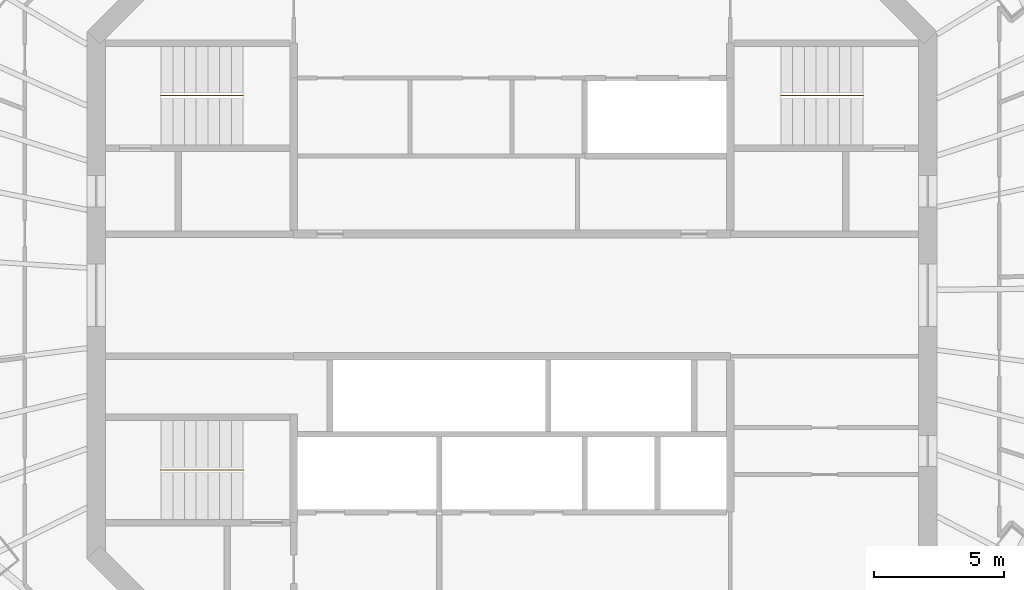
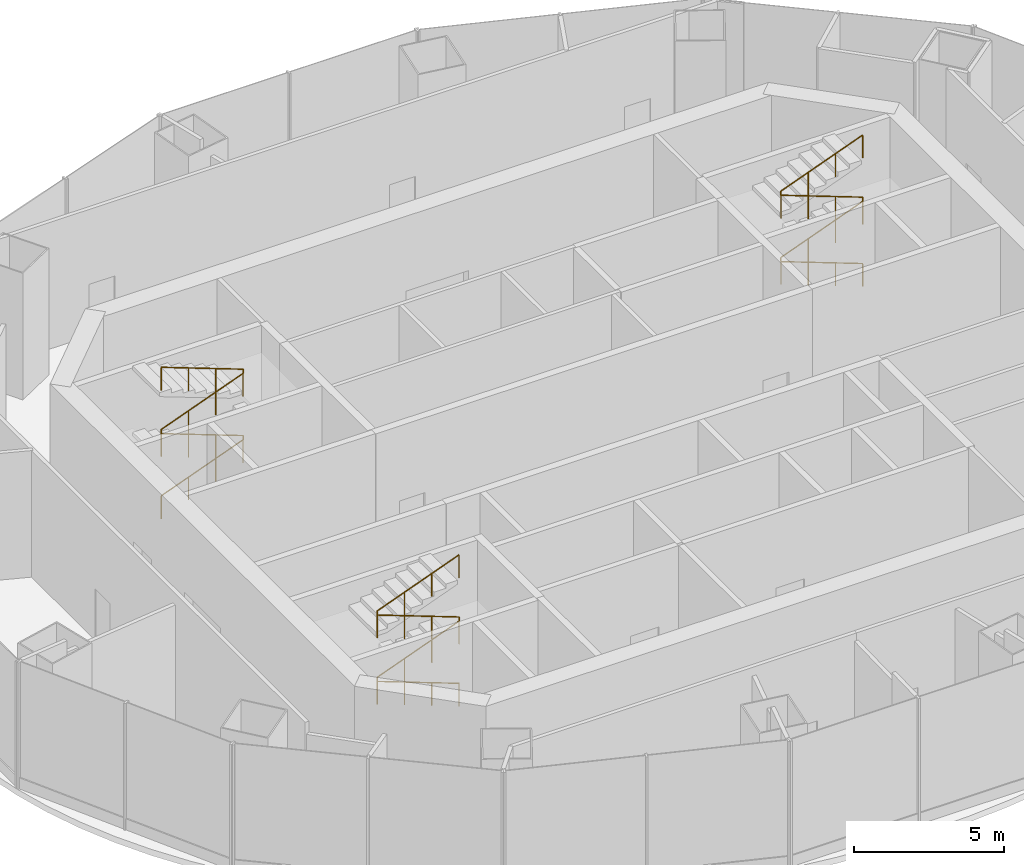
# One storey, part 11 of 11: 3 railings.
"""IFC4 building model written with IfcOpenShell, lengths in metres."""

from ifc_helpers import new_model, si_unit, direction, frame, origin, origin_2d, place, context, subcontext, project, spatial, circle, extrude, material, type_object, element, save


model = new_model("IFC4")

# Units and contexts
model_context = context("Model", 3, precision=1e-05, world=origin(), true_north=direction((0.0, 1.0)))
body_context = subcontext(model_context, "Body", "Model", "MODEL_VIEW")
ifc_project = project(units=[si_unit("LENGTHUNIT", "METRE"), si_unit("AREAUNIT", "SQUARE_METRE"), si_unit("VOLUMEUNIT", "CUBIC_METRE"), si_unit("PLANEANGLEUNIT", "RADIAN"), si_unit("MASSUNIT", "GRAM", prefix="KILO")], contexts=[model_context])

# Site, building, storey
site_placement = place(None, origin())
site = spatial("IfcSite", under=ifc_project, at=site_placement, CompositionType="ELEMENT")
building_placement = place(site_placement, origin())
building = spatial("IfcBuilding", under=site, at=building_placement, Name="Marenthal Gate Tower", CompositionType="ELEMENT")
storey_placement = place(building_placement, frame((0.0, 0.0, 396.550048828125)))
storey = spatial("IfcBuildingStorey", under=building, at=storey_placement, Name="L90", CompositionType="ELEMENT", Elevation=396.550048828125)

# Railings
ifc_material = material(Name="Stainless steel", Category="steel")
railing_type = type_object("IfcRailingType", Name="Stair handrail", PredefinedType="HANDRAIL", material=ifc_material)
railing_1_placement = place(storey_placement, frame((-13.5, 7.675048828125, 0.168701171875)))
element("IfcRailing", 1, at=railing_1_placement, inside=storey, type_object=railing_type, Name="Handrail ST1", PredefinedType="HANDRAIL", context=body_context, shape_type="SweptSolid", body=[
    extrude(circle(Radius=0.0224609375, at=origin_2d()), frame((0.0, 0.0, 0.927490234375), z_axis=(0.936335142327, 0.0, 0.351107535156), x_axis=(0.0, 1.0, 0.0)), (0.0, 0.0, 1.0), 3.364013671875),
    extrude(circle(Radius=0.0224609375, at=origin_2d()), frame((3.14990234375, 0.0, 2.108642578125), z_axis=(0.0, 0.0, 1.0), x_axis=(1.0, 0.0, 0.0)), (0.0, 0.0, 1.0), 0.1689453125),
    extrude(circle(Radius=0.0224609375, at=origin_2d()), frame((3.14990234375, 0.0, 2.277587890625), z_axis=(-0.936335142327, 0.0, 0.351107535156), x_axis=(0.0, -1.0, 0.0)), (0.0, 0.0, 1.0), 3.364013671875),
    extrude(circle(Radius=0.0224609375, at=origin_2d()), frame((0.0, 0.0, 3.458740234375), z_axis=(0.0, 0.0, 1.0), x_axis=(1.0, 0.0, 0.0)), (0.0, 0.0, 1.0), 0.168701171875),
    extrude(circle(Radius=0.0224609375, at=origin_2d()), frame((0.0, 0.0, 3.62744140625), z_axis=(0.936311282129, 0.0, 0.351171159062), x_axis=(0.0, 1.0, 0.0)), (0.0, 0.0, 1.0), 3.3642578125),
    extrude(circle(Radius=0.0224609375, at=origin_2d()), frame((3.14990234375, 0.0, 4.808837890625), z_axis=(0.0, 0.0, 1.0), x_axis=(1.0, 0.0, 0.0)), (0.0, 0.0, 1.0), 0.168701171875),
    extrude(circle(Radius=0.0224609375, at=origin_2d()), frame((3.14990234375, 0.0, 4.9775390625), z_axis=(-0.936335142327, 0.0, 0.351107535156), x_axis=(0.0, -1.0, 0.0)), (0.0, 0.0, 1.0), 3.364013671875),
    extrude(circle(Radius=0.02001953125, at=origin_2d()), origin(), (0.0, 0.0, 1.0), 0.905029296875),
    extrude(circle(Radius=0.02001953125, at=origin_2d()), frame((1.050048828125, 0.0, 0.393798828125)), (0.0, 0.0, 1.0), 0.905029296875),
    extrude(circle(Radius=0.02001953125, at=origin_2d()), frame((2.099853515625, 0.0, 0.787353515625)), (0.0, 0.0, 1.0), 0.905029296875),
    extrude(circle(Radius=0.02001953125, at=origin_2d()), frame((3.14990234375, 0.0, 1.18115234375)), (0.0, 0.0, 1.0), 0.905029296875),
    extrude(circle(Radius=0.02001953125, at=origin_2d()), frame((3.14990234375, 0.0, 1.35009765625)), (0.0, 0.0, 1.0), 0.905029296875),
    extrude(circle(Radius=0.02001953125, at=origin_2d()), frame((2.099853515625, 0.0, 1.743896484375)), (0.0, 0.0, 1.0), 0.905029296875),
    extrude(circle(Radius=0.02001953125, at=origin_2d()), frame((1.050048828125, 0.0, 2.137451171875)), (0.0, 0.0, 1.0), 0.905029296875),
    extrude(circle(Radius=0.02001953125, at=origin_2d()), frame((0.0, 0.0, 2.53125)), (0.0, 0.0, 1.0), 0.905029296875),
    extrude(circle(Radius=0.02001953125, at=origin_2d()), frame((0.0, 0.0, 2.699951171875)), (0.0, 0.0, 1.0), 0.905029296875),
    extrude(circle(Radius=0.02001953125, at=origin_2d()), frame((1.050048828125, 0.0, 3.09375)), (0.0, 0.0, 1.0), 0.905029296875),
    extrude(circle(Radius=0.02001953125, at=origin_2d()), frame((2.099853515625, 0.0, 3.487548828125)), (0.0, 0.0, 1.0), 0.905029296875),
    extrude(circle(Radius=0.02001953125, at=origin_2d()), frame((3.14990234375, 0.0, 3.88134765625)), (0.0, 0.0, 1.0), 0.905029296875),
    extrude(circle(Radius=0.02001953125, at=origin_2d()), frame((3.14990234375, 0.0, 4.050048828125)), (0.0, 0.0, 1.0), 0.905029296875),
    extrude(circle(Radius=0.02001953125, at=origin_2d()), frame((2.099853515625, 0.0, 4.44384765625)), (0.0, 0.0, 1.0), 0.905029296875),
    extrude(circle(Radius=0.02001953125, at=origin_2d()), frame((1.050048828125, 0.0, 4.83740234375)), (0.0, 0.0, 1.0), 0.905029296875),
    extrude(circle(Radius=0.02001953125, at=origin_2d()), frame((0.0, 0.0, 5.231201171875)), (0.0, 0.0, 1.0), 0.905029296875),
])
railing_2_placement = place(storey_placement, frame((-10.35009765625, -6.72509765625, 0.168701171875)))
element("IfcRailing", 2, at=railing_2_placement, inside=storey, type_object=railing_type, Name="Handrail ST2", PredefinedType="HANDRAIL", context=body_context, shape_type="SweptSolid", body=[
    extrude(circle(Radius=0.0224609375, at=origin_2d()), frame((0.0, 0.0, 0.927490234375), z_axis=(-0.936335142327, 0.0, 0.351107535156), x_axis=(0.0, -1.0, 0.0)), (0.0, 0.0, 1.0), 3.364013671875),
    extrude(circle(Radius=0.0224609375, at=origin_2d()), frame((-3.14990234375, 0.0, 2.108642578125), z_axis=(0.0, 0.0, 1.0), x_axis=(1.0, 0.0, 0.0)), (0.0, 0.0, 1.0), 0.1689453125),
    extrude(circle(Radius=0.0224609375, at=origin_2d()), frame((-3.14990234375, 0.0, 2.277587890625), z_axis=(0.936335142327, 0.0, 0.351107535156), x_axis=(0.0, 1.0, 0.0)), (0.0, 0.0, 1.0), 3.364013671875),
    extrude(circle(Radius=0.0224609375, at=origin_2d()), frame((0.0, 0.0, 3.458740234375), z_axis=(0.0, 0.0, 1.0), x_axis=(1.0, 0.0, 0.0)), (0.0, 0.0, 1.0), 0.168701171875),
    extrude(circle(Radius=0.0224609375, at=origin_2d()), frame((0.0, 0.0, 3.62744140625), z_axis=(-0.936311282129, 0.0, 0.351171159062), x_axis=(0.0, -1.0, 0.0)), (0.0, 0.0, 1.0), 3.3642578125),
    extrude(circle(Radius=0.0224609375, at=origin_2d()), frame((-3.14990234375, 0.0, 4.808837890625), z_axis=(0.0, 0.0, 1.0), x_axis=(1.0, 0.0, 0.0)), (0.0, 0.0, 1.0), 0.168701171875),
    extrude(circle(Radius=0.0224609375, at=origin_2d()), frame((-3.14990234375, 0.0, 4.9775390625), z_axis=(0.936335142327, 0.0, 0.351107535156), x_axis=(0.0, 1.0, 0.0)), (0.0, 0.0, 1.0), 3.364013671875),
    extrude(circle(Radius=0.02001953125, at=origin_2d()), origin(), (0.0, 0.0, 1.0), 0.905029296875),
    extrude(circle(Radius=0.02001953125, at=origin_2d()), frame((-1.050048828125, 0.0, 0.393798828125)), (0.0, 0.0, 1.0), 0.905029296875),
    extrude(circle(Radius=0.02001953125, at=origin_2d()), frame((-2.099853515625, 0.0, 0.787353515625)), (0.0, 0.0, 1.0), 0.905029296875),
    extrude(circle(Radius=0.02001953125, at=origin_2d()), frame((-3.14990234375, 0.0, 1.18115234375)), (0.0, 0.0, 1.0), 0.905029296875),
    extrude(circle(Radius=0.02001953125, at=origin_2d()), frame((-3.14990234375, 0.0, 1.35009765625)), (0.0, 0.0, 1.0), 0.905029296875),
    extrude(circle(Radius=0.02001953125, at=origin_2d()), frame((-2.099853515625, 0.0, 1.743896484375)), (0.0, 0.0, 1.0), 0.905029296875),
    extrude(circle(Radius=0.02001953125, at=origin_2d()), frame((-1.050048828125, 0.0, 2.137451171875)), (0.0, 0.0, 1.0), 0.905029296875),
    extrude(circle(Radius=0.02001953125, at=origin_2d()), frame((0.0, 0.0, 2.53125)), (0.0, 0.0, 1.0), 0.905029296875),
    extrude(circle(Radius=0.02001953125, at=origin_2d()), frame((0.0, 0.0, 2.699951171875)), (0.0, 0.0, 1.0), 0.905029296875),
    extrude(circle(Radius=0.02001953125, at=origin_2d()), frame((-1.050048828125, 0.0, 3.09375)), (0.0, 0.0, 1.0), 0.905029296875),
    extrude(circle(Radius=0.02001953125, at=origin_2d()), frame((-2.099853515625, 0.0, 3.487548828125)), (0.0, 0.0, 1.0), 0.905029296875),
    extrude(circle(Radius=0.02001953125, at=origin_2d()), frame((-3.14990234375, 0.0, 3.88134765625)), (0.0, 0.0, 1.0), 0.905029296875),
    extrude(circle(Radius=0.02001953125, at=origin_2d()), frame((-3.14990234375, 0.0, 4.050048828125)), (0.0, 0.0, 1.0), 0.905029296875),
    extrude(circle(Radius=0.02001953125, at=origin_2d()), frame((-2.099853515625, 0.0, 4.44384765625)), (0.0, 0.0, 1.0), 0.905029296875),
    extrude(circle(Radius=0.02001953125, at=origin_2d()), frame((-1.050048828125, 0.0, 4.83740234375)), (0.0, 0.0, 1.0), 0.905029296875),
    extrude(circle(Radius=0.02001953125, at=origin_2d()), frame((0.0, 0.0, 5.231201171875)), (0.0, 0.0, 1.0), 0.905029296875),
])
railing_3_placement = place(storey_placement, frame((13.5, 7.675048828125, 0.168701171875)))
element("IfcRailing", 3, at=railing_3_placement, inside=storey, type_object=railing_type, Name="Handrail ST3", PredefinedType="HANDRAIL", context=body_context, shape_type="SweptSolid", body=[
    extrude(circle(Radius=0.0224609375, at=origin_2d()), frame((0.0, 0.0, 0.927490234375), z_axis=(-0.936335142327, 0.0, 0.351107535156), x_axis=(0.0, -1.0, 0.0)), (0.0, 0.0, 1.0), 3.364013671875),
    extrude(circle(Radius=0.0224609375, at=origin_2d()), frame((-3.14990234375, 0.0, 2.108642578125), z_axis=(0.0, 0.0, 1.0), x_axis=(1.0, 0.0, 0.0)), (0.0, 0.0, 1.0), 0.1689453125),
    extrude(circle(Radius=0.0224609375, at=origin_2d()), frame((-3.14990234375, 0.0, 2.277587890625), z_axis=(0.936335142327, 0.0, 0.351107535156), x_axis=(0.0, 1.0, 0.0)), (0.0, 0.0, 1.0), 3.364013671875),
    extrude(circle(Radius=0.0224609375, at=origin_2d()), frame((0.0, 0.0, 3.458740234375), z_axis=(0.0, 0.0, 1.0), x_axis=(1.0, 0.0, 0.0)), (0.0, 0.0, 1.0), 0.168701171875),
    extrude(circle(Radius=0.0224609375, at=origin_2d()), frame((0.0, 0.0, 3.62744140625), z_axis=(-0.936311282129, 0.0, 0.351171159062), x_axis=(0.0, -1.0, 0.0)), (0.0, 0.0, 1.0), 3.3642578125),
    extrude(circle(Radius=0.0224609375, at=origin_2d()), frame((-3.14990234375, 0.0, 4.808837890625), z_axis=(0.0, 0.0, 1.0), x_axis=(1.0, 0.0, 0.0)), (0.0, 0.0, 1.0), 0.168701171875),
    extrude(circle(Radius=0.0224609375, at=origin_2d()), frame((-3.14990234375, 0.0, 4.9775390625), z_axis=(0.936335142327, 0.0, 0.351107535156), x_axis=(0.0, 1.0, 0.0)), (0.0, 0.0, 1.0), 3.364013671875),
    extrude(circle(Radius=0.02001953125, at=origin_2d()), origin(), (0.0, 0.0, 1.0), 0.905029296875),
    extrude(circle(Radius=0.02001953125, at=origin_2d()), frame((-1.050048828125, 0.0, 0.393798828125)), (0.0, 0.0, 1.0), 0.905029296875),
    extrude(circle(Radius=0.02001953125, at=origin_2d()), frame((-2.099853515625, 0.0, 0.787353515625)), (0.0, 0.0, 1.0), 0.905029296875),
    extrude(circle(Radius=0.02001953125, at=origin_2d()), frame((-3.14990234375, 0.0, 1.18115234375)), (0.0, 0.0, 1.0), 0.905029296875),
    extrude(circle(Radius=0.02001953125, at=origin_2d()), frame((-3.14990234375, 0.0, 1.35009765625)), (0.0, 0.0, 1.0), 0.905029296875),
    extrude(circle(Radius=0.02001953125, at=origin_2d()), frame((-2.099853515625, 0.0, 1.743896484375)), (0.0, 0.0, 1.0), 0.905029296875),
    extrude(circle(Radius=0.02001953125, at=origin_2d()), frame((-1.050048828125, 0.0, 2.137451171875)), (0.0, 0.0, 1.0), 0.905029296875),
    extrude(circle(Radius=0.02001953125, at=origin_2d()), frame((0.0, 0.0, 2.53125)), (0.0, 0.0, 1.0), 0.905029296875),
    extrude(circle(Radius=0.02001953125, at=origin_2d()), frame((0.0, 0.0, 2.699951171875)), (0.0, 0.0, 1.0), 0.905029296875),
    extrude(circle(Radius=0.02001953125, at=origin_2d()), frame((-1.050048828125, 0.0, 3.09375)), (0.0, 0.0, 1.0), 0.905029296875),
    extrude(circle(Radius=0.02001953125, at=origin_2d()), frame((-2.099853515625, 0.0, 3.487548828125)), (0.0, 0.0, 1.0), 0.905029296875),
    extrude(circle(Radius=0.02001953125, at=origin_2d()), frame((-3.14990234375, 0.0, 3.88134765625)), (0.0, 0.0, 1.0), 0.905029296875),
    extrude(circle(Radius=0.02001953125, at=origin_2d()), frame((-3.14990234375, 0.0, 4.050048828125)), (0.0, 0.0, 1.0), 0.905029296875),
    extrude(circle(Radius=0.02001953125, at=origin_2d()), frame((-2.099853515625, 0.0, 4.44384765625)), (0.0, 0.0, 1.0), 0.905029296875),
    extrude(circle(Radius=0.02001953125, at=origin_2d()), frame((-1.050048828125, 0.0, 4.83740234375)), (0.0, 0.0, 1.0), 0.905029296875),
    extrude(circle(Radius=0.02001953125, at=origin_2d()), frame((0.0, 0.0, 5.231201171875)), (0.0, 0.0, 1.0), 0.905029296875),
])

save(model, "model.ifc")
